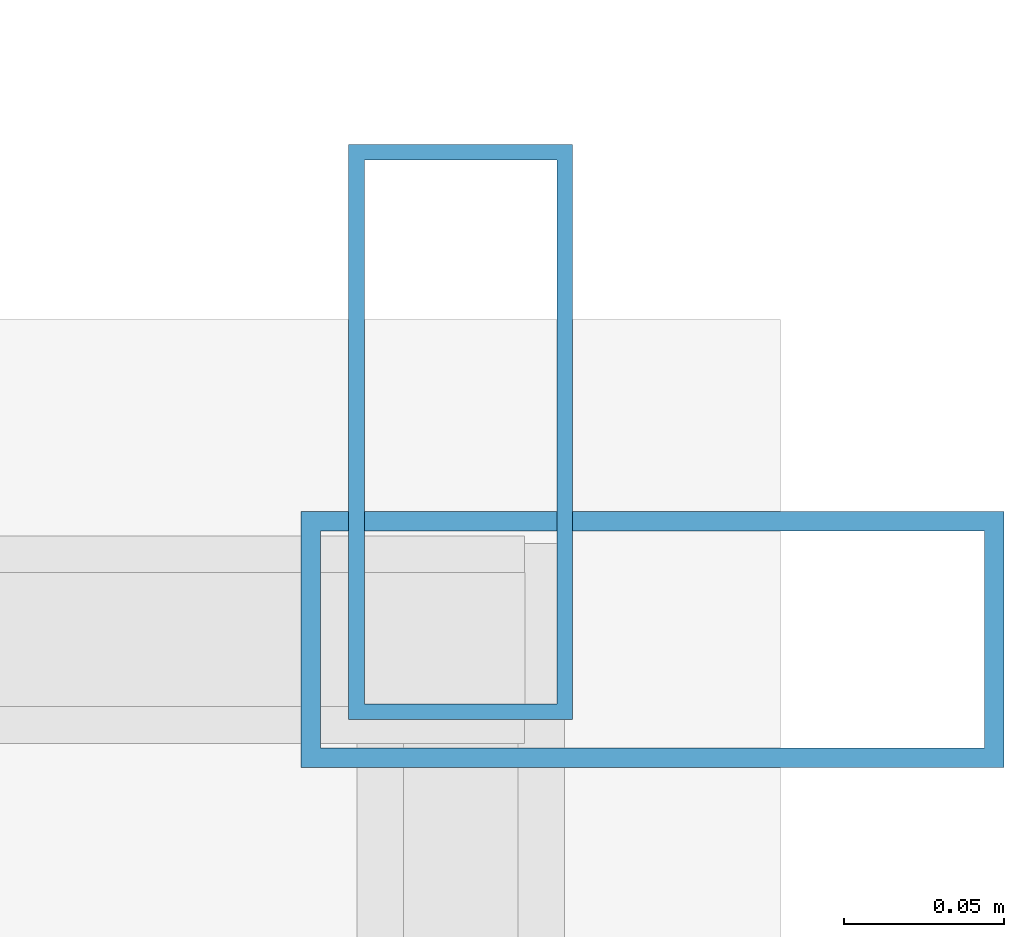
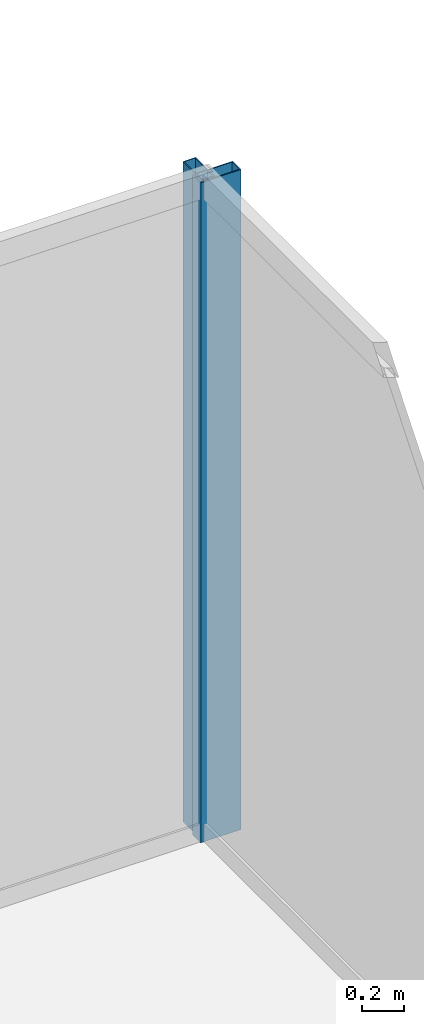
# One storey, part 26 of 34: 2 members, 2 elements without a shape of their own.
"""IFC4 building model written with IfcOpenShell, lengths in metres."""

from ifc_helpers import new_model, si_unit, direction, frame, origin, origin_2d, place, context, subcontext, project, spatial, hollow_rectangle, extrude, source, transform, mapped, material, layer, layer_set, material_profile, profile_set, type_object, type_shapes, element, aggregate, save


model = new_model("IFC4")

# Units and contexts
model_context = context("Model", 3, precision=1e-05, world=origin(), true_north=direction((0.0, 1.0)))
body_context = subcontext(model_context, "Body", "Model", "MODEL_VIEW")
ifc_project = project(units=[si_unit("LENGTHUNIT", "METRE"), si_unit("AREAUNIT", "SQUARE_METRE"), si_unit("VOLUMEUNIT", "CUBIC_METRE"), si_unit("PLANEANGLEUNIT", "RADIAN"), si_unit("MASSUNIT", "GRAM", prefix="KILO")], contexts=[model_context])

# Site, building, storey
site_placement = place(None, origin())
site = spatial("IfcSite", under=ifc_project, at=site_placement, CompositionType="ELEMENT")
building_placement = place(site_placement, origin())
building = spatial("IfcBuilding", under=site, at=building_placement, Name="Haelvirn Gate Laboratories", CompositionType="ELEMENT")
storey_placement = place(building_placement, frame((0.0, 0.0, 246.5)))
storey = spatial("IfcBuildingStorey", under=building, at=storey_placement, Name="L59", CompositionType="ELEMENT", Elevation=246.5)

# Curtain wall, member
ifc_material_1 = material(Name="Anodised bronze unitised aluminium & triple low-E glass", Category="aluminium")
ifc_layer_1 = layer(ifc_material_1, 0.176025390625, Name="CW-SYS-4")
ifc_layer_set_1 = layer_set([ifc_layer_1], Name="Anodised bronze unitised aluminium & triple low-E glass")
curtain_wall_type_1 = type_object("IfcCurtainWallType", Name="CW-SYS-4", PredefinedType="NOTDEFINED", material=ifc_layer_set_1)
curtain_wall_1_placement = place(storey_placement, origin())
curtain_wall_1 = element("IfcCurtainWall", 1, at=curtain_wall_1_placement, inside=storey, type_object=curtain_wall_type_1, Name="L59 Unitised Curtain Wall CW-L59-P0-E07", PredefinedType="NOTDEFINED")
ifc_material_2 = material(Name="Extruded aluminium 6063-T6 (anodised bronze)", Category="aluminium")
ifc_material_profile_1 = material_profile(ifc_material_2, hollow_rectangle(XDim=0.070068359375, YDim=0.179931640625, WallThickness=0.0048828125, at=origin_2d()), Name="CWM-180x70x5")
ifc_profile_set_1 = profile_set([ifc_material_profile_1], Name="Extruded aluminium 6063-T6 (anodised bronze)")
member_type_1 = type_object("IfcMemberType", Name="CWM-T180", PredefinedType="MULLION", material=ifc_profile_set_1)
shared_shape_1 = source(origin(), body_context, "Body", "SweptSolid", [
    extrude(hollow_rectangle(XDim=0.070068359375, YDim=0.179931640625, WallThickness=0.0048828125, at=origin_2d()), origin(), (0.0, 0.0, 1.0), 3.800048828125),
])
type_shapes(member_type_1, [shared_shape_1])
member_1_placement = place(storey_placement, frame((70.699951171875, 42.764892578125, 0.0), z_axis=(0.0, 0.0, 1.0), x_axis=(-1.0, 0.0, 0.0)))
member_1 = element("IfcMember", 2, at=member_1_placement, type_object=member_type_1, Name="CW4 mullion 3", PredefinedType="MULLION", context=body_context, shape_type="MappedRepresentation", body=[
    mapped(shared_shape_1, transform((0.0, 0.0, 0.0), scale=1.0)),
])
aggregate(curtain_wall_1, [member_1])

ifc_layer_2 = layer(ifc_material_1, 0.181884765625, Name="CW-SYS-5")
ifc_layer_set_2 = layer_set([ifc_layer_2], Name="Anodised bronze unitised aluminium & triple low-E glass")
curtain_wall_type_2 = type_object("IfcCurtainWallType", Name="CW-SYS-5", PredefinedType="NOTDEFINED", material=ifc_layer_set_2)
curtain_wall_2_placement = place(storey_placement, origin())
curtain_wall_2 = element("IfcCurtainWall", 3, at=curtain_wall_2_placement, inside=storey, type_object=curtain_wall_type_2, Name="L59 Unitised Curtain Wall CW-L59-P0-E08-1", PredefinedType="NOTDEFINED")
ifc_material_profile_2 = material_profile(ifc_material_2, hollow_rectangle(XDim=0.080078125, YDim=0.219970703125, WallThickness=0.006103515625, at=origin_2d()), Name="CWM-220x80x6")
ifc_profile_set_2 = profile_set([ifc_material_profile_2], Name="Extruded aluminium 6063-T6 (anodised bronze)")
member_type_2 = type_object("IfcMemberType", Name="CWM-T220", PredefinedType="MULLION", material=ifc_profile_set_2)
shared_shape_2 = source(origin(), body_context, "Body", "SweptSolid", [
    extrude(hollow_rectangle(XDim=0.080078125, YDim=0.219970703125, WallThickness=0.006103515625, at=origin_2d()), origin(), (0.0, 0.0, 1.0), 3.800048828125),
])
type_shapes(member_type_2, [shared_shape_2])
member_2_placement = place(storey_placement, frame((70.760009765625, 42.699951171875, 0.0), z_axis=(0.0, 0.0, 1.0), x_axis=(0.0, 1.0, 0.0)))
member_2 = element("IfcMember", 4, at=member_2_placement, type_object=member_type_2, Name="CW5 mullion 2", PredefinedType="MULLION", context=body_context, shape_type="MappedRepresentation", body=[
    mapped(shared_shape_2, transform((0.0, 0.0, 0.0), scale=1.0)),
])
aggregate(curtain_wall_2, [member_2])

save(model, "model.ifc")
